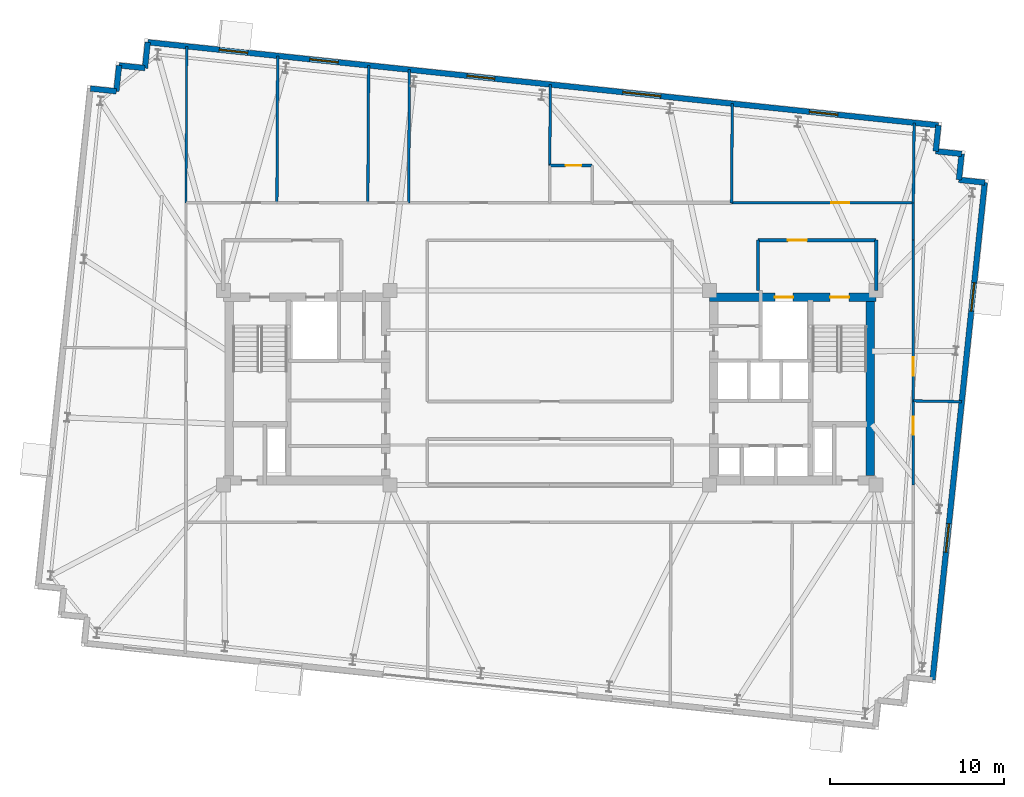
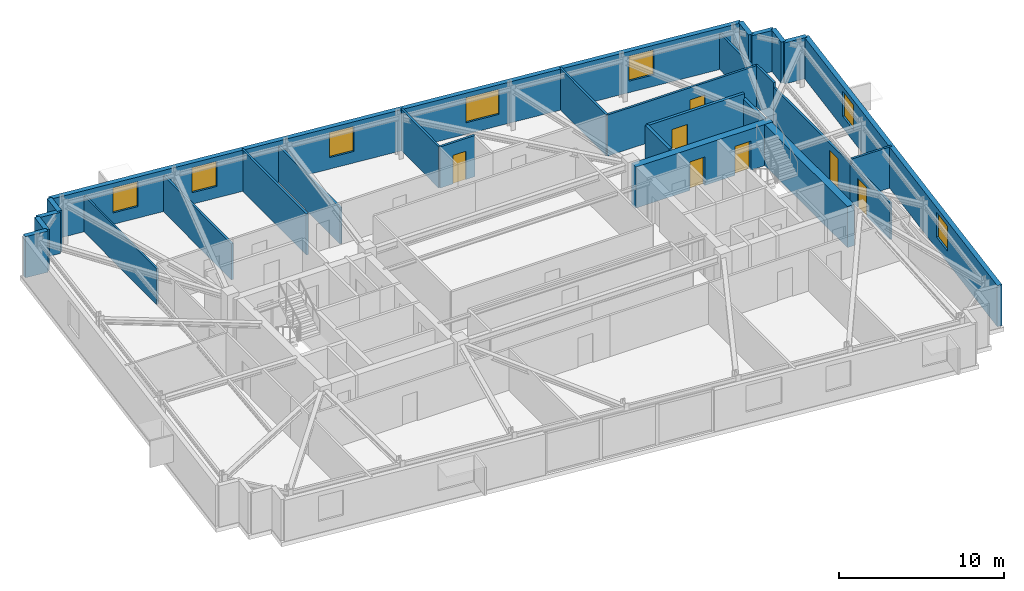
# One storey, part 10 of 13: 28 walls, 7 doors, 7 windows, 14 openings.
"""IFC4 building model written with IfcOpenShell, lengths in metres."""

from ifc_helpers import new_model, si_unit, direction, frame, frame_2d, origin, place, context, subcontext, project, spatial, rectangle, extrude, material, layer, layer_set, type_object, element, fill, save


model = new_model("IFC4")

# Units and contexts
model_context = context("Model", 3, precision=1e-05, world=origin(), true_north=direction((0.0, 1.0)))
body_context = subcontext(model_context, "Body", "Model", "MODEL_VIEW")
ifc_project = project(units=[si_unit("LENGTHUNIT", "METRE"), si_unit("AREAUNIT", "SQUARE_METRE"), si_unit("VOLUMEUNIT", "CUBIC_METRE"), si_unit("PLANEANGLEUNIT", "RADIAN"), si_unit("MASSUNIT", "GRAM", prefix="KILO")], contexts=[model_context])

# Site, building, storey
site_placement = place(None, origin())
site = spatial("IfcSite", under=ifc_project, at=site_placement, CompositionType="ELEMENT")
building_placement = place(site_placement, origin())
building = spatial("IfcBuilding", under=site, at=building_placement, Name="Qobustan Lattice House", CompositionType="ELEMENT")
storey_placement = place(building_placement, frame((0.0, 0.0, 196.39990234375)))
storey = spatial("IfcBuildingStorey", under=building, at=storey_placement, Name="L55", CompositionType="ELEMENT", Elevation=196.39990234375)

# Wall, openings, doors
ifc_material_1 = material(Name="Concrete C50/60", Category="concrete")
ifc_layer_1 = layer(ifc_material_1, 0.5)
ifc_layer_set_1 = layer_set([ifc_layer_1], Name="Concrete C50/60")
wall_type_1 = type_object("IfcWallType", Name="WAL-CORE-500", PredefinedType="SHEAR", material=ifc_layer_set_1)
wall_1_placement = place(storey_placement, frame((9.199951171875, 5.2099609375, 0.0), z_axis=(0.0, 0.0, 1.0), x_axis=(1.0, 0.0, 0.0)))
wall_1 = element("IfcWall", 1, at=wall_1_placement, inside=storey, type_object=wall_type_1, Name="L55 split-core shear wall CE-N", PredefinedType="SHEAR", context=body_context, shape_type="SweptSolid", body=[
    extrude(rectangle(XDim=9.60009765625, YDim=0.5, at=frame_2d((4.800048828125, 0.0))), origin(), (0.0, 0.0, 1.0), 3.0400390625),
])
opening_1_placement = place(wall_1_placement, frame((6.949951171875, 0.0, 0.0)))
opening_1 = element("IfcOpeningElement", 2, at=opening_1_placement, cuts=wall_1, Name="Opening SD-01", PredefinedType="OPENING", context=body_context, shape_type="SweptSolid", body=[
    extrude(rectangle(XDim=1.10009765625, YDim=2.14990234375, at=frame_2d((0.550048828125, 1.074951171875))), frame((0.0, 0.260009765625, 0.0), z_axis=(0.0, -1.0, 0.0), x_axis=(1.0, 0.0, 0.0)), (0.0, 0.0, 1.0), 0.52001953125),
])
opening_2_placement = place(wall_1_placement, frame((3.77490234375, 0.0, 0.0)))
opening_2 = element("IfcOpeningElement", 3, at=opening_2_placement, cuts=wall_1, Name="Opening LD-01", PredefinedType="OPENING", context=body_context, shape_type="SweptSolid", body=[
    extrude(rectangle(XDim=1.050048828125, YDim=2.10009765625, at=frame_2d((0.52490234375, 1.050048828125))), frame((0.0, 0.260009765625, 0.0), z_axis=(0.0, -1.0, 0.0), x_axis=(1.0, 0.0, 0.0)), (0.0, 0.0, 1.0), 0.52001953125),
])
ifc_material_2 = material(Name="Persian walnut timber and steel frame door", Category="steel")
door_type_1 = type_object("IfcDoorType", Name="DOR-LIFT-LD-1050x2100", OperationType="NOTDEFINED", PredefinedType="DOOR", material=ifc_material_2)
door_1_placement = place(opening_2_placement, origin())
door_1 = element("IfcDoor", 4, at=door_1_placement, inside=storey, type_object=door_type_1, Name="L55 firefighting lift FF-E landing door", OperationType="DOUBLE_DOOR_SLIDING", OverallHeight=2.10009765625, OverallWidth=1.050048828125, PredefinedType="DOOR", context=body_context, shape_type="SweptSolid", body=[
    extrude(rectangle(XDim=1.050048828125, YDim=2.10009765625, at=frame_2d((0.52490234375, 1.050048828125))), frame((0.0, 0.02490234375, 0.0), z_axis=(0.0, -1.0, 0.0), x_axis=(1.0, 0.0, 0.0)), (0.0, 0.0, 1.0), 0.050048828125),
])
fill(opening_2, door_1)
ifc_material_3 = material(Name="Persian walnut timber and steel frame door", Category="steel")
door_type_2 = type_object("IfcDoorType", Name="DOR-STAIR-FD-1100x2150", OperationType="NOTDEFINED", PredefinedType="DOOR", material=ifc_material_3)
door_2_placement = place(opening_1_placement, origin())
door_2 = element("IfcDoor", 5, at=door_2_placement, inside=storey, type_object=door_type_2, Name="L55 exit stair ST-E1 fire door", OperationType="SINGLE_SWING_RIGHT", OverallHeight=2.14990234375, OverallWidth=1.10009765625, PredefinedType="DOOR", context=body_context, shape_type="SweptSolid", body=[
    extrude(rectangle(XDim=1.10009765625, YDim=2.14990234375, at=frame_2d((0.550048828125, 1.074951171875))), frame((0.0, 0.02490234375, 0.0), z_axis=(0.0, -1.0, 0.0), x_axis=(1.0, 0.0, 0.0)), (0.0, 0.0, 1.0), 0.050048828125),
])
fill(opening_1, door_2)

# Walls
wall_2_placement = place(storey_placement, frame((18.4599609375, -5.050048828125, 0.0), z_axis=(0.0, 0.0, 1.0), x_axis=(0.0, 1.0, 0.0)))
element("IfcWall", 6, at=wall_2_placement, inside=storey, type_object=wall_type_1, Name="L55 split-core shear wall CE-E", PredefinedType="SHEAR", context=body_context, shape_type="SweptSolid", body=[
    extrude(rectangle(XDim=10.10009765625, YDim=0.5, at=frame_2d((5.050048828125, 0.0))), origin(), (0.0, 0.0, 1.0), 3.0400390625),
])
ifc_material_4 = material(Name="Precast concrete C40/50", Category="concrete")
ifc_layer_2 = layer(ifc_material_4, 0.320068359375)
ifc_layer_set_2 = layer_set([ifc_layer_2], Name="Precast concrete C40/50")
wall_type_2 = type_object("IfcWallType", Name="WAL-EXT-STONE-320", PredefinedType="SOLIDWALL", material=ifc_layer_set_2)
wall_3_placement = place(storey_placement, frame((-26.452880859375, 17.228515625, 0.0), z_axis=(0.0, 0.0, 1.0), x_axis=(0.994508128223, -0.104659366031, 0.0)))
element("IfcWall", 7, at=wall_3_placement, inside=storey, type_object=wall_type_2, Name="L55 exterior limestone-clad wall 6", PredefinedType="SOLIDWALL", context=body_context, shape_type="SweptSolid", body=[
    extrude(rectangle(XDim=1.5, YDim=0.320068359375, at=frame_2d((0.75, 0.0))), origin(), (0.0, 0.0, 1.0), 3.0400390625),
])
wall_4_placement = place(storey_placement, frame((-24.961181640625, 17.071533203125, 0.0), z_axis=(0.0, 0.0, 1.0), x_axis=(0.104642427191, 0.994509910675, 0.0)))
element("IfcWall", 8, at=wall_4_placement, inside=storey, type_object=wall_type_2, Name="L55 exterior limestone-clad wall 7", PredefinedType="SOLIDWALL", context=body_context, shape_type="SweptSolid", body=[
    extrude(rectangle(XDim=1.500244140625, YDim=0.320068359375, at=frame_2d((0.75, 0.0))), origin(), (0.0, 0.0, 1.0), 3.0400390625),
])
wall_5_placement = place(storey_placement, frame((-24.80419921875, 18.5634765625, 0.0), z_axis=(0.0, 0.0, 1.0), x_axis=(0.994508128223, -0.104659366031, 0.0)))
element("IfcWall", 9, at=wall_5_placement, inside=storey, type_object=wall_type_2, Name="L55 exterior limestone-clad wall 8", PredefinedType="SOLIDWALL", context=body_context, shape_type="SweptSolid", body=[
    extrude(rectangle(XDim=1.5, YDim=0.320068359375, at=frame_2d((0.75, 0.0))), origin(), (0.0, 0.0, 1.0), 3.0400390625),
])
wall_6_placement = place(storey_placement, frame((-23.3125, 18.406494140625, 0.0), z_axis=(0.0, 0.0, 1.0), x_axis=(0.104481464157, 0.994526834051, 0.0)))
element("IfcWall", 10, at=wall_6_placement, inside=storey, type_object=wall_type_2, Name="L55 exterior limestone-clad wall 9", PredefinedType="SOLIDWALL", context=body_context, shape_type="SweptSolid", body=[
    extrude(rectangle(XDim=1.500244140625, YDim=0.320068359375, at=frame_2d((0.75, 0.0))), origin(), (0.0, 0.0, 1.0), 3.0400390625),
])

# Wall, openings, windows
wall_7_placement = place(storey_placement, frame((-23.15576171875, 19.8984375, 0.0), z_axis=(0.0, 0.0, 1.0), x_axis=(0.994522001802, -0.104527450613, 0.0)))
wall_7 = element("IfcWall", 11, at=wall_7_placement, inside=storey, type_object=wall_type_2, Name="L55 exterior limestone-clad wall 10", PredefinedType="SOLIDWALL", context=body_context, shape_type="SweptSolid", body=[
    extrude(rectangle(XDim=45.800048828125, YDim=0.320068359375, at=frame_2d((22.89990234375, 0.0))), origin(), (0.0, 0.0, 1.0), 3.0400390625),
])
opening_3_placement = place(wall_7_placement, frame((4.139404296875, 0.0, 0.85009765625)))
opening_3 = element("IfcOpeningElement", 12, at=opening_3_placement, cuts=wall_7, Name="Opening WN-09", PredefinedType="OPENING", context=body_context, shape_type="SweptSolid", body=[
    extrude(rectangle(XDim=1.64990234375, YDim=1.85009765625, at=frame_2d((0.824951171875, 0.925048828125))), frame((0.0, 0.169921875, 0.0), z_axis=(0.0, -1.0, 0.0), x_axis=(1.0, 0.0, 0.0)), (0.0, 0.0, 1.0), 0.340087890625),
])
opening_4_placement = place(wall_7_placement, frame((9.3837890625, 0.0, 0.85009765625)))
opening_4 = element("IfcOpeningElement", 13, at=opening_4_placement, cuts=wall_7, Name="Opening WN-09", PredefinedType="OPENING", context=body_context, shape_type="SweptSolid", body=[
    extrude(rectangle(XDim=1.64990234375, YDim=1.85009765625, at=frame_2d((0.824951171875, 0.925048828125))), frame((0.0, 0.169921875, 0.0), z_axis=(0.0, -1.0, 0.0), x_axis=(1.0, 0.0, 0.0)), (0.0, 0.0, 1.0), 0.340087890625),
])
opening_5_placement = place(wall_7_placement, frame((18.496826171875, 0.0, 0.85009765625)))
opening_5 = element("IfcOpeningElement", 14, at=opening_5_placement, cuts=wall_7, Name="Opening WN-13", PredefinedType="OPENING", context=body_context, shape_type="SweptSolid", body=[
    extrude(rectangle(XDim=1.60009765625, YDim=1.85009765625, at=frame_2d((0.800048828125, 0.925048828125))), frame((0.0, 0.169921875, 0.0), z_axis=(0.0, -1.0, 0.0), x_axis=(1.0, 0.0, 0.0)), (0.0, 0.0, 1.0), 0.340087890625),
])
opening_6_placement = place(wall_7_placement, frame((27.525146484375, 0.0, 0.85009765625)))
opening_6 = element("IfcOpeningElement", 15, at=opening_6_placement, cuts=wall_7, Name="Opening WN-03", PredefinedType="OPENING", context=body_context, shape_type="SweptSolid", body=[
    extrude(rectangle(XDim=2.199951171875, YDim=1.85009765625, at=frame_2d((1.10009765625, 0.925048828125))), frame((0.0, 0.169921875, 0.0), z_axis=(0.0, -1.0, 0.0), x_axis=(1.0, 0.0, 0.0)), (0.0, 0.0, 1.0), 0.340087890625),
])
opening_7_placement = place(wall_7_placement, frame((38.329345703125, 0.0, 0.85009765625)))
opening_7 = element("IfcOpeningElement", 16, at=opening_7_placement, cuts=wall_7, Name="Opening WN-09", PredefinedType="OPENING", context=body_context, shape_type="SweptSolid", body=[
    extrude(rectangle(XDim=1.64990234375, YDim=1.85009765625, at=frame_2d((0.824951171875, 0.925048828125))), frame((0.0, 0.169921875, 0.0), z_axis=(0.0, -1.0, 0.0), x_axis=(1.0, 0.0, 0.0)), (0.0, 0.0, 1.0), 0.340087890625),
])
ifc_material_5 = material(Name="Double-glazed low-E aluminium window", Category="aluminium")
window_type_1 = type_object("IfcWindowType", Name="WIN-BED-1600x1850", PartitioningType="SINGLE_PANEL", PredefinedType="WINDOW", material=ifc_material_5)
window_1_placement = place(opening_5_placement, origin())
window_1 = element("IfcWindow", 17, at=window_1_placement, inside=storey, type_object=window_type_1, Name="L55 Laundry utility room window", OverallHeight=1.85009765625, OverallWidth=1.60009765625, PartitioningType="SINGLE_PANEL", PredefinedType="WINDOW", context=body_context, shape_type="SweptSolid", body=[
    extrude(rectangle(XDim=1.60009765625, YDim=1.85009765625, at=frame_2d((0.800048828125, 0.925048828125))), frame((0.0, 0.030029296875, 0.0), z_axis=(0.0, -1.0, 0.0), x_axis=(1.0, 0.0, 0.0)), (0.0, 0.0, 1.0), 0.06005859375),
])
fill(opening_5, window_1)
ifc_material_6 = material(Name="Double-glazed low-E aluminium window", Category="aluminium")
window_type_2 = type_object("IfcWindowType", Name="WIN-STU-1650x1850", PartitioningType="SINGLE_PANEL", PredefinedType="WINDOW", material=ifc_material_6)
window_2_placement = place(opening_3_placement, origin())
window_2 = element("IfcWindow", 18, at=window_2_placement, inside=storey, type_object=window_type_2, Name="L55 Focus study room N1A window", OverallHeight=1.85009765625, OverallWidth=1.64990234375, PartitioningType="SINGLE_PANEL", PredefinedType="WINDOW", context=body_context, shape_type="SweptSolid", body=[
    extrude(rectangle(XDim=1.64990234375, YDim=1.85009765625, at=frame_2d((0.824951171875, 0.925048828125))), frame((0.0, 0.030029296875, 0.0), z_axis=(0.0, -1.0, 0.0), x_axis=(1.0, 0.0, 0.0)), (0.0, 0.0, 1.0), 0.06005859375),
])
fill(opening_3, window_2)
window_3_placement = place(opening_4_placement, origin())
window_3 = element("IfcWindow", 19, at=window_3_placement, inside=storey, type_object=window_type_2, Name="L55 Focus study room N1B window", OverallHeight=1.85009765625, OverallWidth=1.64990234375, PartitioningType="SINGLE_PANEL", PredefinedType="WINDOW", context=body_context, shape_type="SweptSolid", body=[
    extrude(rectangle(XDim=1.64990234375, YDim=1.85009765625, at=frame_2d((0.824951171875, 0.925048828125))), frame((0.0, 0.030029296875, 0.0), z_axis=(0.0, -1.0, 0.0), x_axis=(1.0, 0.0, 0.0)), (0.0, 0.0, 1.0), 0.06005859375),
])
fill(opening_4, window_3)
window_4_placement = place(opening_7_placement, origin())
window_4 = element("IfcWindow", 20, at=window_4_placement, inside=storey, type_object=window_type_2, Name="L55 Focus study room N4 window", OverallHeight=1.85009765625, OverallWidth=1.64990234375, PartitioningType="SINGLE_PANEL", PredefinedType="WINDOW", context=body_context, shape_type="SweptSolid", body=[
    extrude(rectangle(XDim=1.64990234375, YDim=1.85009765625, at=frame_2d((0.824951171875, 0.925048828125))), frame((0.0, 0.030029296875, 0.0), z_axis=(0.0, -1.0, 0.0), x_axis=(1.0, 0.0, 0.0)), (0.0, 0.0, 1.0), 0.06005859375),
])
fill(opening_7, window_4)
ifc_material_7 = material(Name="Double-glazed low-E aluminium window", Category="aluminium")
window_type_3 = type_object("IfcWindowType", Name="WIN-WIDE-2200x1850", PartitioningType="SINGLE_PANEL", PredefinedType="WINDOW", material=ifc_material_7)
window_5_placement = place(opening_6_placement, origin())
window_5 = element("IfcWindow", 21, at=window_5_placement, inside=storey, type_object=window_type_3, Name="L55 Kitchenette and studio apartment L55-N3 window", OverallHeight=1.85009765625, OverallWidth=2.199951171875, PartitioningType="SINGLE_PANEL", PredefinedType="WINDOW", context=body_context, shape_type="SweptSolid", body=[
    extrude(rectangle(XDim=2.199951171875, YDim=1.85009765625, at=frame_2d((1.10009765625, 0.925048828125))), frame((0.0, 0.030029296875, 0.0), z_axis=(0.0, -1.0, 0.0), x_axis=(1.0, 0.0, 0.0)), (0.0, 0.0, 1.0), 0.06005859375),
])
fill(opening_6, window_5)

# Walls
wall_8_placement = place(storey_placement, frame((22.393310546875, 15.111083984375, 0.0), z_axis=(0.0, 0.0, 1.0), x_axis=(-0.104481464157, -0.994526834051, 0.0)))
element("IfcWall", 22, at=wall_8_placement, inside=storey, type_object=wall_type_2, Name="L55 exterior limestone-clad wall 11", PredefinedType="SOLIDWALL", context=body_context, shape_type="SweptSolid", body=[
    extrude(rectangle(XDim=1.500244140625, YDim=0.320068359375, at=frame_2d((0.75, 0.0))), origin(), (0.0, 0.0, 1.0), 3.0400390625),
])
for number, where, z_axis, x_axis, name in (
    (23, (22.236572265625, 13.619140625, 0.0), (0.0, 0.0, 1.0), (0.994525057048, -0.104498377516, 0.0), "L55 exterior limestone-clad wall 12"),
    (24, (23.728271484375, 13.46240234375, 0.0), (0.0, 0.0, 1.0), (-0.104498377516, -0.994525057048, 0.0), "L55 exterior limestone-clad wall 13"),
    (25, (23.571533203125, 11.970703125, 0.0), (0.0, 0.0, 1.0), (0.994508128223, -0.104659366031, 0.0), "L55 exterior limestone-clad wall 14"),
):
    element("IfcWall", number, at=place(storey_placement, frame(where, z_axis=z_axis, x_axis=x_axis)), inside=storey, type_object=wall_type_2, Name=name, PredefinedType="SOLIDWALL", context=body_context, shape_type="SweptSolid", body=[
        extrude(rectangle(XDim=1.5, YDim=0.320068359375, at=frame_2d((0.75, 0.0))), origin(), (0.0, 0.0, 1.0), 3.0400390625),
    ])

# Wall, openings, windows
wall_9_placement = place(storey_placement, frame((25.063232421875, 11.813720703125, 0.0), z_axis=(0.0, 0.0, 1.0), x_axis=(-0.104523275986, -0.99452244056, 0.0)))
wall_9 = element("IfcWall", 26, at=wall_9_placement, inside=storey, type_object=wall_type_2, Name="L55 exterior limestone-clad wall 15", PredefinedType="SOLIDWALL", context=body_context, shape_type="SweptSolid", body=[
    extrude(rectangle(XDim=28.7998046875, YDim=0.320068359375, at=frame_2d((14.39990234375, 0.0))), origin(), (0.0, 0.0, 1.0), 3.0400390625),
])
opening_8_placement = place(wall_9_placement, frame((5.79345703125, 0.0, 0.85009765625)))
opening_8 = element("IfcOpeningElement", 27, at=opening_8_placement, cuts=wall_9, Name="Opening WN-09", PredefinedType="OPENING", context=body_context, shape_type="SweptSolid", body=[
    extrude(rectangle(XDim=1.64990234375, YDim=1.85009765625, at=frame_2d((0.824951171875, 0.925048828125))), frame((0.0, 0.169921875, 0.0), z_axis=(0.0, -1.0, 0.0), x_axis=(1.0, 0.0, 0.0)), (0.0, 0.0, 1.0), 0.340087890625),
])
opening_9_placement = place(wall_9_placement, frame((19.752197265625, 0.0, 0.85009765625)))
opening_9 = element("IfcOpeningElement", 28, at=opening_9_placement, cuts=wall_9, Name="Opening WN-09", PredefinedType="OPENING", context=body_context, shape_type="SweptSolid", body=[
    extrude(rectangle(XDim=1.64990234375, YDim=1.85009765625, at=frame_2d((0.824951171875, 0.925048828125))), frame((0.0, 0.169921875, 0.0), z_axis=(0.0, -1.0, 0.0), x_axis=(1.0, 0.0, 0.0)), (0.0, 0.0, 1.0), 0.340087890625),
])
window_6_placement = place(opening_8_placement, origin())
window_6 = element("IfcWindow", 29, at=window_6_placement, inside=storey, type_object=window_type_2, Name="L55 Collaborative tutorial room window", OverallHeight=1.85009765625, OverallWidth=1.64990234375, PartitioningType="SINGLE_PANEL", PredefinedType="WINDOW", context=body_context, shape_type="SweptSolid", body=[
    extrude(rectangle(XDim=1.64990234375, YDim=1.85009765625, at=frame_2d((0.824951171875, 0.925048828125))), frame((0.0, 0.030029296875, 0.0), z_axis=(0.0, -1.0, 0.0), x_axis=(1.0, 0.0, 0.0)), (0.0, 0.0, 1.0), 0.06005859375),
])
fill(opening_8, window_6)
window_7_placement = place(opening_9_placement, origin())
window_7 = element("IfcWindow", 30, at=window_7_placement, inside=storey, type_object=window_type_2, Name="L55 Fellows reading room window", OverallHeight=1.85009765625, OverallWidth=1.64990234375, PartitioningType="SINGLE_PANEL", PredefinedType="WINDOW", context=body_context, shape_type="SweptSolid", body=[
    extrude(rectangle(XDim=1.64990234375, YDim=1.85009765625, at=frame_2d((0.824951171875, 0.925048828125))), frame((0.0, 0.030029296875, 0.0), z_axis=(0.0, -1.0, 0.0), x_axis=(1.0, 0.0, 0.0)), (0.0, 0.0, 1.0), 0.06005859375),
])
fill(opening_9, window_7)

# Walls
ifc_material_8 = material(Name="Lightweight acoustic stud partition", Category="gypsum")
ifc_layer_3 = layer(ifc_material_8, 0.125)
ifc_layer_set_3 = layer_set([ifc_layer_3], Name="Lightweight acoustic stud partition")
wall_type_3 = type_object("IfcWallType", Name="WAL-PART-125", PredefinedType="PARTITIONING", material=ifc_layer_set_3)
wall_10_placement = place(storey_placement, frame((-20.906005859375, 19.661865234375, 0.0), z_axis=(0.0, 0.0, 1.0), x_axis=(-0.004876272857, -0.999988110911, 0.0)))
element("IfcWall", 31, at=wall_10_placement, inside=storey, type_object=wall_type_3, Name="L55 interior partition 66", PredefinedType="PARTITIONING", context=body_context, shape_type="SweptSolid", body=[
    extrude(rectangle(XDim=9.011962890625, YDim=0.125, at=frame_2d((4.505859375, 0.0))), origin(), (0.0, 0.0, 1.0), 2.6650390625),
])
ifc_material_9 = material(Name="Acoustic twin-stud gypsum partition", Category="gypsum")
ifc_layer_4 = layer(ifc_material_9, 0.14990234375)
ifc_layer_set_4 = layer_set([ifc_layer_4], Name="Acoustic twin-stud gypsum partition")
wall_type_4 = type_object("IfcWallType", Name="WAL-PART-150", PredefinedType="PARTITIONING", material=ifc_layer_set_4)
wall_11_placement = place(storey_placement, frame((20.949951171875, 10.64990234375, 0.0), z_axis=(0.0, 0.0, 1.0), x_axis=(0.0, -1.0, 0.0)))
element("IfcWall", 32, at=wall_11_placement, inside=storey, type_object=wall_type_4, Name="L55 interior partition 40", PredefinedType="PARTITIONING", context=body_context, shape_type="SweptSolid", body=[
    extrude(rectangle(XDim=2.14990234375, YDim=0.14990234375, at=frame_2d((1.074951171875, 0.0))), origin(), (0.0, 0.0, 1.0), 3.0400390625),
])

# Wall, opening, door
wall_12_placement = place(storey_placement, frame((10.47509765625, 10.64990234375, 0.0), z_axis=(0.0, 0.0, 1.0), x_axis=(1.0, 0.0, 0.0)))
wall_12 = element("IfcWall", 33, at=wall_12_placement, inside=storey, type_object=wall_type_4, Name="L55 interior partition 43", PredefinedType="PARTITIONING", context=body_context, shape_type="SweptSolid", body=[
    extrude(rectangle(XDim=10.474853515625, YDim=0.14990234375, at=frame_2d((5.2373046875, 0.0))), origin(), (0.0, 0.0, 1.0), 3.0400390625),
])
opening_10_placement = place(wall_12_placement, frame((5.74560546875, 0.0, 0.0)))
opening_10 = element("IfcOpeningElement", 34, at=opening_10_placement, cuts=wall_12, Name="Opening ID-02", PredefinedType="OPENING", context=body_context, shape_type="SweptSolid", body=[
    extrude(rectangle(XDim=1.050048828125, YDim=2.14990234375, at=frame_2d((0.52490234375, 1.074951171875))), frame((0.0, 0.0849609375, 0.0), z_axis=(0.0, -1.0, 0.0), x_axis=(1.0, 0.0, 0.0)), (0.0, 0.0, 1.0), 0.169921875),
])
ifc_material_10 = material(Name="Persian walnut timber and steel frame door", Category="steel")
door_type_3 = type_object("IfcDoorType", Name="DOR-STUDY-1050x2150", OperationType="NOTDEFINED", PredefinedType="DOOR", material=ifc_material_10)
door_3_placement = place(opening_10_placement, origin())
door_3 = element("IfcDoor", 35, at=door_3_placement, inside=storey, type_object=door_type_3, Name="L55 North-east floor corridor to Focus study room N4 door", OperationType="SINGLE_SWING_RIGHT", OverallHeight=2.14990234375, OverallWidth=1.050048828125, PredefinedType="DOOR", context=body_context, shape_type="SweptSolid", body=[
    extrude(rectangle(XDim=1.050048828125, YDim=2.14990234375, at=frame_2d((0.52490234375, 1.074951171875))), frame((0.0, 0.02490234375, 0.0), z_axis=(0.0, -1.0, 0.0), x_axis=(1.0, 0.0, 0.0)), (0.0, 0.0, 1.0), 0.050048828125),
])
fill(opening_10, door_3)

wall_13_placement = place(storey_placement, frame((20.949951171875, -0.76318359375, 0.0), z_axis=(0.0, 0.0, 1.0), x_axis=(0.0, -1.0, 0.0)))
wall_13 = element("IfcWall", 36, at=wall_13_placement, inside=storey, type_object=wall_type_4, Name="L55 interior partition 56", PredefinedType="PARTITIONING", context=body_context, shape_type="SweptSolid", body=[
    extrude(rectangle(XDim=4.8369140625, YDim=0.14990234375, at=frame_2d((2.41845703125, 0.0))), origin(), (0.0, 0.0, 1.0), 2.695068359375),
])
opening_11_placement = place(wall_13_placement, frame((0.908203125, 0.0, 0.0)))
opening_11 = element("IfcOpeningElement", 37, at=opening_11_placement, cuts=wall_13, Name="Opening ID-02", PredefinedType="OPENING", context=body_context, shape_type="SweptSolid", body=[
    extrude(rectangle(XDim=1.050048828125, YDim=2.14990234375, at=frame_2d((0.52490234375, 1.074951171875))), frame((0.0, 0.0849609375, 0.0), z_axis=(0.0, -1.0, 0.0), x_axis=(1.0, 0.0, 0.0)), (0.0, 0.0, 1.0), 0.169921875),
])
door_4_placement = place(opening_11_placement, origin())
door_4 = element("IfcDoor", 38, at=door_4_placement, inside=storey, type_object=door_type_3, Name="L55 East wing spine gallery to Fellows reading room door", OperationType="SINGLE_SWING_LEFT", OverallHeight=2.14990234375, OverallWidth=1.050048828125, PredefinedType="DOOR", context=body_context, shape_type="SweptSolid", body=[
    extrude(rectangle(XDim=1.050048828125, YDim=2.14990234375, at=frame_2d((0.52490234375, 1.074951171875))), frame((0.0, 0.02490234375, 0.0), z_axis=(0.0, -1.0, 0.0), x_axis=(1.0, 0.0, 0.0)), (0.0, 0.0, 1.0), 0.050048828125),
])
fill(opening_11, door_4)

wall_14_placement = place(storey_placement, frame((20.949951171875, 8.5, 0.0), z_axis=(0.0, 0.0, 1.0), x_axis=(0.0, -1.0, 0.0)))
wall_14 = element("IfcWall", 39, at=wall_14_placement, inside=storey, type_object=wall_type_4, Name="L55 interior partition 57", PredefinedType="PARTITIONING", context=body_context, shape_type="SweptSolid", body=[
    extrude(rectangle(XDim=9.26318359375, YDim=0.14990234375, at=frame_2d((4.631591796875, 0.0))), origin(), (0.0, 0.0, 1.0), 2.695068359375),
])
opening_12_placement = place(wall_14_placement, frame((6.75146484375, 0.0, 0.0)))
opening_12 = element("IfcOpeningElement", 40, at=opening_12_placement, cuts=wall_14, Name="Opening ID-02", PredefinedType="OPENING", context=body_context, shape_type="SweptSolid", body=[
    extrude(rectangle(XDim=1.050048828125, YDim=2.14990234375, at=frame_2d((0.52490234375, 1.074951171875))), frame((0.0, 0.0849609375, 0.0), z_axis=(0.0, -1.0, 0.0), x_axis=(1.0, 0.0, 0.0)), (0.0, 0.0, 1.0), 0.169921875),
])
door_5_placement = place(opening_12_placement, origin())
door_5 = element("IfcDoor", 41, at=door_5_placement, inside=storey, type_object=door_type_3, Name="L55 East wing spine gallery to Collaborative tutorial room door", OperationType="SINGLE_SWING_RIGHT", OverallHeight=2.14990234375, OverallWidth=1.050048828125, PredefinedType="DOOR", context=body_context, shape_type="SweptSolid", body=[
    extrude(rectangle(XDim=1.050048828125, YDim=2.14990234375, at=frame_2d((0.52490234375, 1.074951171875))), frame((0.0, 0.02490234375, 0.0), z_axis=(0.0, -1.0, 0.0), x_axis=(1.0, 0.0, 0.0)), (0.0, 0.0, 1.0), 0.050048828125),
])
fill(opening_12, door_5)

# Walls
wall_15_placement = place(storey_placement, frame((20.949951171875, -0.76318359375, 0.0), z_axis=(0.0, 0.0, 1.0), x_axis=(0.999875696831, -0.015766765259, 0.0)))
element("IfcWall", 42, at=wall_15_placement, inside=storey, type_object=wall_type_4, Name="L55 interior partition 67", PredefinedType="PARTITIONING", context=body_context, shape_type="SweptSolid", body=[
    extrude(rectangle(XDim=2.787109375, YDim=0.14990234375, at=frame_2d((1.3935546875, 0.0))), origin(), (0.0, 0.0, 1.0), 3.0400390625),
])
wall_16_placement = place(storey_placement, frame((20.949951171875, 10.64990234375, 0.0), z_axis=(0.0, 0.0, 1.0), x_axis=(0.009535990233, 0.999954531411, 0.0)))
element("IfcWall", 43, at=wall_16_placement, inside=storey, type_object=wall_type_4, Name="L55 interior partition 69", PredefinedType="PARTITIONING", context=body_context, shape_type="SweptSolid", body=[
    extrude(rectangle(XDim=4.6083984375, YDim=0.14990234375, at=frame_2d((2.30419921875, 0.0))), origin(), (0.0, 0.0, 1.0), 2.6650390625),
])
wall_17_placement = place(storey_placement, frame((-15.668701171875, 19.111572265625, 0.0), z_axis=(0.0, 0.0, 1.0), x_axis=(-0.005164534834, -0.999986663701, 0.0)))
element("IfcWall", 44, at=wall_17_placement, inside=storey, type_object=wall_type_4, Name="L55 interior partition 70", PredefinedType="PARTITIONING", context=body_context, shape_type="SweptSolid", body=[
    extrude(rectangle(XDim=8.461669921875, YDim=0.14990234375, at=frame_2d((4.23095703125, 0.0))), origin(), (0.0, 0.0, 1.0), 2.6650390625),
])
wall_18_placement = place(storey_placement, frame((0.0439453125, 17.4599609375, 0.0), z_axis=(0.0, 0.0, 1.0), x_axis=(-0.009430083116, -0.999955535778, 0.0)))
element("IfcWall", 45, at=wall_18_placement, inside=storey, type_object=wall_type_4, Name="L55 interior partition 73", PredefinedType="PARTITIONING", context=body_context, shape_type="SweptSolid", body=[
    extrude(rectangle(XDim=4.66015625, YDim=0.14990234375, at=frame_2d((2.330078125, 0.0))), origin(), (0.0, 0.0, 1.0), 3.0400390625),
])
wall_19_placement = place(storey_placement, frame((10.518798828125, 16.359130859375, 0.0), z_axis=(0.0, 0.0, 1.0), x_axis=(-0.007654255135, -0.99997070576, 0.0)))
element("IfcWall", 46, at=wall_19_placement, inside=storey, type_object=wall_type_4, Name="L55 interior partition 77", PredefinedType="PARTITIONING", context=body_context, shape_type="SweptSolid", body=[
    extrude(rectangle(XDim=5.70947265625, YDim=0.14990234375, at=frame_2d((2.854736328125, 0.0))), origin(), (0.0, 0.0, 1.0), 3.0400390625),
])

# Wall, opening, door
ifc_material_11 = material(Name="Two-hour gypsum fireboard acoustic partition", Category="gypsum")
ifc_layer_5 = layer(ifc_material_11, 0.199951171875)
ifc_layer_set_5 = layer_set([ifc_layer_5], Name="Two-hour gypsum fireboard acoustic partition")
wall_type_5 = type_object("IfcWallType", Name="WAL-PROT-200", PredefinedType="PARTITIONING", material=ifc_layer_set_5)
wall_20_placement = place(storey_placement, frame((18.800048828125, 8.5, 0.0), z_axis=(0.0, 0.0, 1.0), x_axis=(-1.0, 0.0, 0.0)))
wall_20 = element("IfcWall", 47, at=wall_20_placement, inside=storey, type_object=wall_type_5, Name="L55 interior partition 18", PredefinedType="PARTITIONING", context=body_context, shape_type="SweptSolid", body=[
    extrude(rectangle(XDim=6.800048828125, YDim=0.199951171875, at=frame_2d((3.39990234375, 0.0))), origin(), (0.0, 0.0, 1.0), 3.0400390625),
])
opening_13_placement = place(wall_20_placement, frame((3.985107421875, 0.0, 0.0)))
opening_13 = element("IfcOpeningElement", 48, at=opening_13_placement, cuts=wall_20, Name="Opening SD-01", PredefinedType="OPENING", context=body_context, shape_type="SweptSolid", body=[
    extrude(rectangle(XDim=1.10009765625, YDim=2.14990234375, at=frame_2d((0.550048828125, 1.074951171875))), frame((0.0, 0.10986328125, 0.0), z_axis=(0.0, -1.0, 0.0), x_axis=(1.0, 0.0, 0.0)), (0.0, 0.0, 1.0), 0.219970703125),
])
door_6_placement = place(opening_13_placement, origin())
door_6 = element("IfcDoor", 49, at=door_6_placement, inside=storey, type_object=door_type_2, Name="L55 East firefighting lift lobby to North-east floor corridor door", OperationType="SINGLE_SWING_LEFT", OverallHeight=2.14990234375, OverallWidth=1.10009765625, PredefinedType="DOOR", context=body_context, shape_type="SweptSolid", body=[
    extrude(rectangle(XDim=1.10009765625, YDim=2.14990234375, at=frame_2d((0.550048828125, 1.074951171875))), frame((0.0, 0.02490234375, 0.0), z_axis=(0.0, -1.0, 0.0), x_axis=(1.0, 0.0, 0.0)), (0.0, 0.0, 1.0), 0.050048828125),
])
fill(opening_13, door_6)

# Walls
wall_21_placement = place(storey_placement, frame((18.800048828125, 5.60009765625, 0.0), z_axis=(0.0, 0.0, 1.0), x_axis=(0.0, 1.0, 0.0)))
element("IfcWall", 50, at=wall_21_placement, inside=storey, type_object=wall_type_5, Name="L55 interior partition 19", PredefinedType="PARTITIONING", context=body_context, shape_type="SweptSolid", body=[
    extrude(rectangle(XDim=2.89990234375, YDim=0.199951171875, at=frame_2d((1.449951171875, 0.0))), origin(), (0.0, 0.0, 1.0), 2.6650390625),
])
wall_22_placement = place(storey_placement, frame((12.0, 8.5, 0.0), z_axis=(0.0, 0.0, 1.0), x_axis=(0.0, -1.0, 0.0)))
element("IfcWall", 51, at=wall_22_placement, inside=storey, type_object=wall_type_5, Name="L55 interior partition 20", PredefinedType="PARTITIONING", context=body_context, shape_type="SweptSolid", body=[
    extrude(rectangle(XDim=2.89990234375, YDim=0.199951171875, at=frame_2d((1.449951171875, 0.0))), origin(), (0.0, 0.0, 1.0), 3.0400390625),
])
ifc_material_12 = material(Name="Moisture-resistant acoustic plumbing wall", Category="gypsum")
ifc_layer_6 = layer(ifc_material_12, 0.14990234375)
ifc_layer_set_6 = layer_set([ifc_layer_6], Name="Moisture-resistant acoustic plumbing wall")
wall_type_6 = type_object("IfcWallType", Name="WAL-WET-150", PredefinedType="PLUMBINGWALL", material=ifc_layer_set_6)
wall_23_placement = place(storey_placement, frame((-10.43115234375, 18.56103515625, 0.0), z_axis=(0.0, 0.0, 1.0), x_axis=(-0.005554784069, -0.999984572068, 0.0)))
element("IfcWall", 52, at=wall_23_placement, inside=storey, type_object=wall_type_6, Name="L55 interior partition 71", PredefinedType="PLUMBINGWALL", context=body_context, shape_type="SweptSolid", body=[
    extrude(rectangle(XDim=7.9111328125, YDim=0.14990234375, at=frame_2d((3.95556640625, 0.0))), origin(), (0.0, 0.0, 1.0), 3.0400390625),
])
wall_24_placement = place(storey_placement, frame((-8.0810546875, 18.31396484375, 0.0), z_axis=(0.0, 0.0, 1.0), x_axis=(-0.005733850696, -0.999983561343, 0.0)))
element("IfcWall", 53, at=wall_24_placement, inside=storey, type_object=wall_type_6, Name="L55 interior partition 72", PredefinedType="PLUMBINGWALL", context=body_context, shape_type="SweptSolid", body=[
    extrude(rectangle(XDim=7.664306640625, YDim=0.14990234375, at=frame_2d((3.83203125, 0.0))), origin(), (0.0, 0.0, 1.0), 2.6650390625),
])

# Wall, opening, door
wall_25_placement = place(storey_placement, frame((2.449951171875, 12.800048828125, 0.0), z_axis=(0.0, 0.0, 1.0), x_axis=(-1.0, 0.0, 0.0)))
wall_25 = element("IfcWall", 54, at=wall_25_placement, inside=storey, type_object=wall_type_6, Name="L55 interior partition 75", PredefinedType="PLUMBINGWALL", context=body_context, shape_type="SweptSolid", body=[
    extrude(rectangle(XDim=2.449951171875, YDim=0.14990234375, at=frame_2d((1.22509765625, 0.0))), origin(), (0.0, 0.0, 1.0), 3.0400390625),
])
opening_14_placement = place(wall_25_placement, frame((0.62890625, 0.0, 0.0)))
opening_14 = element("IfcOpeningElement", 55, at=opening_14_placement, cuts=wall_25, Name="Opening WD-01", PredefinedType="OPENING", context=body_context, shape_type="SweptSolid", body=[
    extrude(rectangle(XDim=0.89990234375, YDim=2.10009765625, at=frame_2d((0.449951171875, 1.050048828125))), frame((0.0, 0.0849609375, 0.0), z_axis=(0.0, -1.0, 0.0), x_axis=(1.0, 0.0, 0.0)), (0.0, 0.0, 1.0), 0.169921875),
])
ifc_material_13 = material(Name="Persian walnut timber and steel frame door", Category="steel")
door_type_4 = type_object("IfcDoorType", Name="DOR-WET-900x2100", OperationType="NOTDEFINED", PredefinedType="DOOR", material=ifc_material_13)
door_7_placement = place(opening_14_placement, origin())
door_7 = element("IfcDoor", 56, at=door_7_placement, inside=storey, type_object=door_type_4, Name="L55 Kitchenette and studio apartment L55-N3 to En-suite bathroom L55-N3 door", OperationType="SINGLE_SWING_LEFT", OverallHeight=2.10009765625, OverallWidth=0.89990234375, PredefinedType="DOOR", context=body_context, shape_type="SweptSolid", body=[
    extrude(rectangle(XDim=0.89990234375, YDim=2.10009765625, at=frame_2d((0.449951171875, 1.050048828125))), frame((0.0, 0.02490234375, 0.0), z_axis=(0.0, -1.0, 0.0), x_axis=(1.0, 0.0, 0.0)), (0.0, 0.0, 1.0), 0.050048828125),
])
fill(opening_14, door_7)

save(model, "model.ifc")
